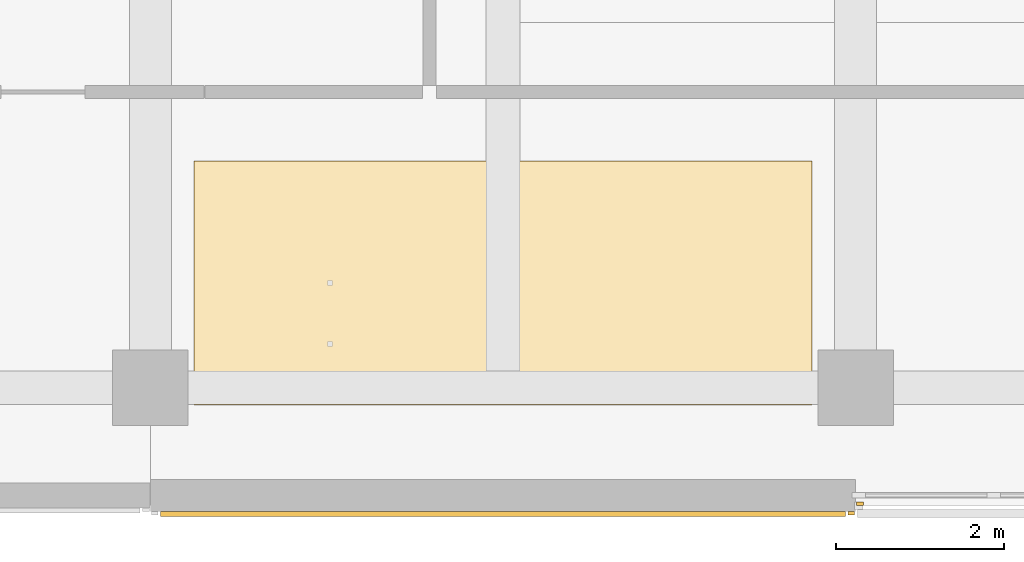
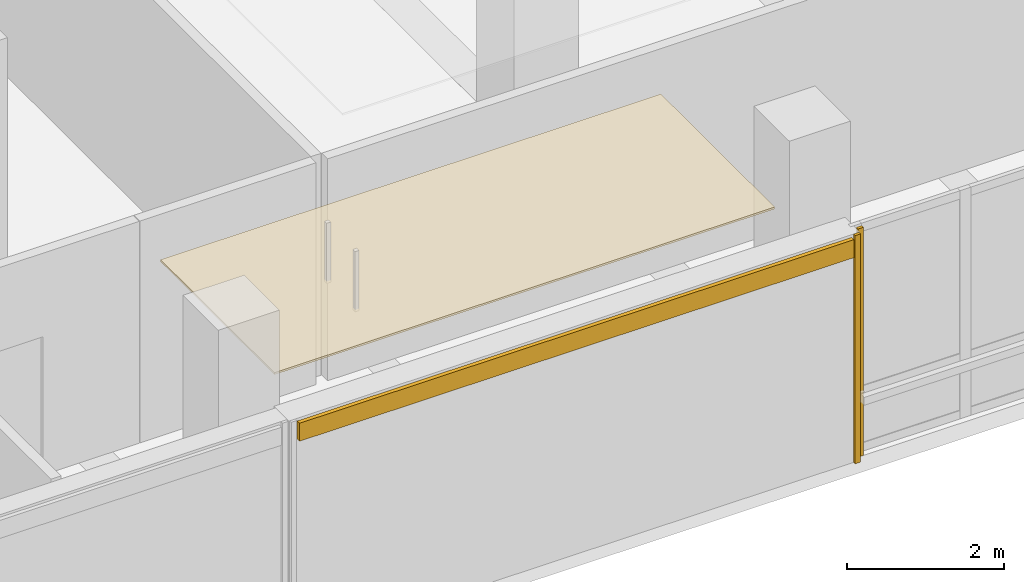
# One storey, part 51 of 59: 4 coverings.
"""IFC4 building model written with IfcOpenShell, lengths in metres."""

from ifc_helpers import new_model, si_unit, direction, frame, origin, origin_2d, place, context, subcontext, project, spatial, polyline, rectangle, outline, extrude, material, layer, layer_set, type_object, element, save


model = new_model("IFC4")

# Units and contexts
model_context = context("Model", 3, precision=1e-05, world=origin(), true_north=direction((0.0, 1.0)))
body_context = subcontext(model_context, "Body", "Model", "MODEL_VIEW")
ifc_project = project(units=[si_unit("LENGTHUNIT", "METRE"), si_unit("AREAUNIT", "SQUARE_METRE"), si_unit("VOLUMEUNIT", "CUBIC_METRE"), si_unit("PLANEANGLEUNIT", "RADIAN"), si_unit("MASSUNIT", "GRAM", prefix="KILO")], contexts=[model_context])

# Site, building, storey
site_placement = place(None, origin())
site = spatial("IfcSite", under=ifc_project, at=site_placement, CompositionType="ELEMENT")
building_placement = place(site_placement, origin())
building = spatial("IfcBuilding", under=site, at=building_placement, Name="Telukmera Botanical Conservatory", CompositionType="ELEMENT")
storey_placement = place(building_placement, frame((0.0, 0.0, 15.0)))
storey = spatial("IfcBuildingStorey", under=building, at=storey_placement, Name="L03", CompositionType="ELEMENT", Elevation=15.0)

# Coverings
ifc_material_1 = material(Name="Mineral fibre acoustic ceiling")
ifc_layer_1 = layer(ifc_material_1, 0.030029296875)
ifc_layer_set_1 = layer_set([ifc_layer_1], Name="Mineral fibre acoustic ceiling")
covering_type_1 = type_object("IfcCoveringType", Name="COV-CEIL-30", PredefinedType="CEILING", material=ifc_layer_set_1)
covering_1_placement = place(storey_placement, frame((0.0, 0.0, 3.320068359375)))
element("IfcCovering", 1, at=covering_1_placement, inside=storey, type_object=covering_type_1, Name="L03 Specimen Mounting Studio Suspended Acoustic Ceiling", PredefinedType="CEILING", context=body_context, shape_type="SweptSolid", body=[
    extrude(outline(polyline([(92.919921875, 10.39990234375), (100.280029296875, 10.39990234375), (100.280029296875, 13.300048828125), (92.919921875, 13.300048828125), (92.919921875, 10.39990234375)])), origin(), (0.0, 0.0, 1.0), 0.030029296875),
])
ifc_material_2 = material(Name="Granite-faced precast concrete C40/50", Category="masonry")
ifc_layer_2 = layer(ifc_material_2, 0.0400390625)
ifc_layer_set_2 = layer_set([ifc_layer_2], Name="Granite-faced precast concrete C40/50")
covering_type_2 = type_object("IfcCoveringType", Name="Granite Precast Column Pier Reveal Casing", PredefinedType="CLADDING", material=ifc_layer_set_2)
for number, where, z_axis, x_axis, name in (
    (2, (100.748046875, 9.110107421875, 0.0), (0.0, 0.0, 1.0), (1.0, 0.0, 0.0), "Granite Pier Reveal V4:L03:S6 R"),
    (3, (100.85205078125, 9.219970703125, 0.0), (0.0, 0.0, 1.0), (1.0, 0.0, 0.0), "Granite Pier Reveal V4:L03:S7 L"),
):
    element("IfcCovering", number, at=place(storey_placement, frame(where, z_axis=z_axis, x_axis=x_axis)), inside=storey, type_object=covering_type_2, Name=name, PredefinedType="CLADDING", context=body_context, shape_type="SweptSolid", body=[
        extrude(rectangle(XDim=0.080078125, YDim=0.0400390625, at=origin_2d()), origin(), (0.0, 0.0, 1.0), 3.550048828125),
    ])
ifc_material_3 = material(Name="Terracotta-faced precast concrete C40/50", Category="masonry")
ifc_layer_3 = layer(ifc_material_3, 0.06005859375)
ifc_layer_set_3 = layer_set([ifc_layer_3], Name="Terracotta-faced precast concrete C40/50")
covering_type_3 = type_object("IfcCoveringType", Name="Polychrome Terracotta Facade Band Cladding", PredefinedType="CLADDING", material=ifc_layer_set_3)
covering_2_placement = place(storey_placement, frame((96.60009765625, 9.10009765625, 3.22998046875), z_axis=(0.0, 0.0, 1.0), x_axis=(1.0, 0.0, 0.0)))
element("IfcCovering", 4, at=covering_2_placement, inside=storey, type_object=covering_type_3, Name="Polychrome Terracotta Band V4:L03:S6", PredefinedType="CLADDING", context=body_context, shape_type="SweptSolid", body=[
    extrude(rectangle(XDim=8.156005859375, YDim=0.06005859375, at=origin_2d()), origin(), (0.0, 0.0, 1.0), 0.280029296875),
])

save(model, "model.ifc")
